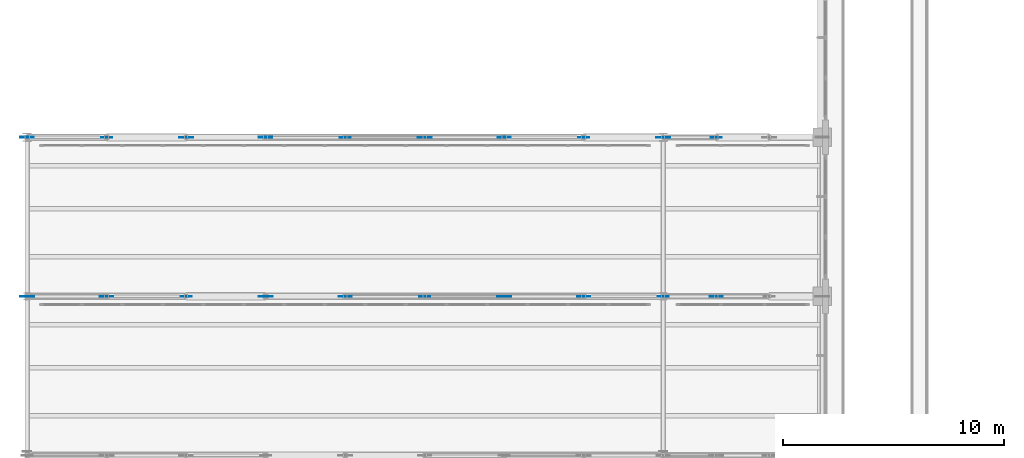
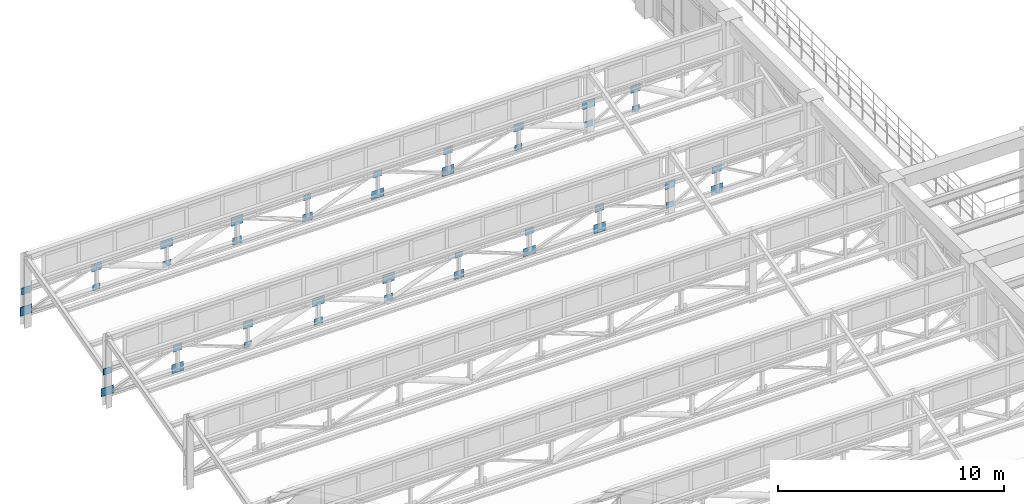
# One storey, part 81 of 98: 40 plates.
"""IFC4 building model written with IfcOpenShell, lengths in metres."""

from ifc_helpers import new_model, si_unit, direction, frame, origin, origin_2d, place, context, subcontext, project, spatial, rectangle, extrude, material, layer, layer_set, type_object, element, save


model = new_model("IFC4")

# Units and contexts
model_context = context("Model", 3, precision=1e-05, world=origin(), true_north=direction((0.0, 1.0)))
body_context = subcontext(model_context, "Body", "Model", "MODEL_VIEW")
ifc_project = project(units=[si_unit("LENGTHUNIT", "METRE"), si_unit("AREAUNIT", "SQUARE_METRE"), si_unit("VOLUMEUNIT", "CUBIC_METRE"), si_unit("PLANEANGLEUNIT", "RADIAN"), si_unit("MASSUNIT", "GRAM", prefix="KILO")], contexts=[model_context])

# Site, building, storey
site_placement = place(None, origin())
site = spatial("IfcSite", under=ifc_project, at=site_placement, CompositionType="ELEMENT")
building_placement = place(site_placement, origin())
building = spatial("IfcBuilding", under=site, at=building_placement, Name="Solenvale Faculty of Natural Sciences", CompositionType="ELEMENT")
storey_placement = place(building_placement, frame((0.0, 0.0, 9.0)))
storey = spatial("IfcBuildingStorey", under=building, at=storey_placement, Name="L02", CompositionType="ELEMENT", Elevation=9.0)

# Plates
ifc_material = material(Name="Steel S355", Category="steel")
ifc_layer_1 = layer(ifc_material, 0.01806640625)
ifc_layer_set_1 = layer_set([ifc_layer_1], Name="Steel S355")
plate_type_1 = type_object("IfcPlateType", Name="PLT-GUS-380x304x18", PredefinedType="SHEET", material=ifc_layer_set_1)
for number, where, z_axis, x_axis, name in (
    (1, (7.199951171875, 36.0, 0.67822265625), (0.0, 0.0, 1.0), (1.0, 0.0, 0.0), "V1 Truss 5.1 Node Gusset NPB2"),
    (2, (18.0, 36.0, 1.7578125), (0.0, 0.0, 1.0), (1.0, 0.0, 0.0), "V1 Truss 5.1 Node Gusset NPU5"),
    (3, (28.800048828125, 36.0, 0.67822265625), (0.0, 0.0, 1.0), (1.0, 0.0, 0.0), "V1 Truss 5.1 Node Gusset NPB8"),
    (4, (3.60009765625, 43.199951171875, 0.67822265625), (0.0, 0.0, 1.0), (1.0, 0.0, 0.0), "V1 Truss 6.1 Node Gusset NPB1"),
    (5, (14.39990234375, 43.199951171875, 1.7578125), (0.0, 0.0, 1.0), (1.0, 0.0, 0.0), "V1 Truss 6.1 Node Gusset NPU4"),
    (6, (25.199951171875, 43.199951171875, 0.67822265625), (0.0, 0.0, 1.0), (1.0, 0.0, 0.0), "V1 Truss 6.1 Node Gusset NPB7"),
    (7, (31.199951171875, 43.199951171875, 0.67822265625), (0.0, 0.0, 1.0), (1.0, 0.0, 0.0), "V1 Truss 6.2 Node Gusset NPB1"),
):
    element("IfcPlate", number, at=place(storey_placement, frame(where, z_axis=z_axis, x_axis=x_axis)), inside=storey, type_object=plate_type_1, Name=name, PredefinedType="SHEET", context=body_context, shape_type="SweptSolid", body=[
        extrude(rectangle(XDim=0.3798828125, YDim=0.01806640625, at=origin_2d()), origin(), (0.0, 0.0, 1.0), 0.303955078125),
    ])
ifc_layer_2 = layer(ifc_material, 0.02001953125)
ifc_layer_set_2 = layer_set([ifc_layer_2], Name="Steel S355")
plate_type_2 = type_object("IfcPlateType", Name="PLT-GUS-420x336x20", PredefinedType="SHEET", material=ifc_layer_set_2)
for number, where, z_axis, x_axis, name in (
    (8, (0.0, 36.0, 1.741943359375), (0.0, 0.0, 1.0), (1.0, 0.0, 0.0), "V1 Truss 5.1 Node Gusset NPU0"),
    (9, (10.800048828125, 36.0, 0.662109375), (0.0, 0.0, 1.0), (1.0, 0.0, 0.0), "V1 Truss 5.1 Node Gusset NPB3"),
    (10, (21.60009765625, 36.0, 1.741943359375), (0.0, 0.0, 1.0), (1.0, 0.0, 0.0), "V1 Truss 5.1 Node Gusset NPU6"),
    (11, (7.199951171875, 43.199951171875, 0.662109375), (0.0, 0.0, 1.0), (1.0, 0.0, 0.0), "V1 Truss 6.1 Node Gusset NPB2"),
    (12, (18.0, 43.199951171875, 1.741943359375), (0.0, 0.0, 1.0), (1.0, 0.0, 0.0), "V1 Truss 6.1 Node Gusset NPU5"),
    (13, (28.800048828125, 43.199951171875, 0.662109375), (0.0, 0.0, 1.0), (1.0, 0.0, 0.0), "V1 Truss 6.1 Node Gusset NPB8"),
):
    element("IfcPlate", number, at=place(storey_placement, frame(where, z_axis=z_axis, x_axis=x_axis)), inside=storey, type_object=plate_type_2, Name=name, PredefinedType="SHEET", context=body_context, shape_type="SweptSolid", body=[
        extrude(rectangle(XDim=0.419921875, YDim=0.02001953125, at=origin_2d()), origin(), (0.0, 0.0, 1.0), 0.3359375),
    ])
ifc_layer_3 = layer(ifc_material, 0.02197265625)
ifc_layer_set_3 = layer_set([ifc_layer_3], Name="Steel S355")
plate_type_3 = type_object("IfcPlateType", Name="PLT-GUS-460x368x22", PredefinedType="SHEET", material=ifc_layer_set_3)
for number, where, z_axis, x_axis, name in (
    (14, (3.60009765625, 36.0, 1.72607421875), (0.0, 0.0, 1.0), (1.0, 0.0, 0.0), "V1 Truss 5.1 Node Gusset NPU1"),
    (15, (14.39990234375, 36.0, 0.64599609375), (0.0, 0.0, 1.0), (1.0, 0.0, 0.0), "V1 Truss 5.1 Node Gusset NPB4"),
    (16, (25.199951171875, 36.0, 1.72607421875), (0.0, 0.0, 1.0), (1.0, 0.0, 0.0), "V1 Truss 5.1 Node Gusset NPU7"),
    (17, (31.199951171875, 36.0, 1.72607421875), (0.0, 0.0, 1.0), (1.0, 0.0, 0.0), "V1 Truss 5.2 Node Gusset NPU1"),
    (18, (0.0, 43.199951171875, 1.72607421875), (0.0, 0.0, 1.0), (1.0, 0.0, 0.0), "V1 Truss 6.1 Node Gusset NPU0"),
    (19, (10.800048828125, 43.199951171875, 0.64599609375), (0.0, 0.0, 1.0), (1.0, 0.0, 0.0), "V1 Truss 6.1 Node Gusset NPB3"),
    (20, (21.60009765625, 43.199951171875, 1.72607421875), (0.0, 0.0, 1.0), (1.0, 0.0, 0.0), "V1 Truss 6.1 Node Gusset NPU6"),
):
    element("IfcPlate", number, at=place(storey_placement, frame(where, z_axis=z_axis, x_axis=x_axis)), inside=storey, type_object=plate_type_3, Name=name, PredefinedType="SHEET", context=body_context, shape_type="SweptSolid", body=[
        extrude(rectangle(XDim=0.4599609375, YDim=0.02197265625, at=origin_2d()), origin(), (0.0, 0.0, 1.0), 0.367919921875),
    ])
ifc_layer_4 = layer(ifc_material, 0.02392578125)
ifc_layer_set_4 = layer_set([ifc_layer_4], Name="Steel S355")
plate_type_4 = type_object("IfcPlateType", Name="PLT-GUS-500x400x24", PredefinedType="SHEET", material=ifc_layer_set_4)
for number, where, z_axis, x_axis, name in (
    (21, (7.199951171875, 36.0, 1.7099609375), (0.0, 0.0, 1.0), (1.0, 0.0, 0.0), "V1 Truss 5.1 Node Gusset NPU2"),
    (22, (18.0, 36.0, 0.630126953125), (0.0, 0.0, 1.0), (1.0, 0.0, 0.0), "V1 Truss 5.1 Node Gusset NPB5"),
    (23, (28.800048828125, 36.0, 1.7099609375), (0.0, 0.0, 1.0), (1.0, 0.0, 0.0), "V1 Truss 5.1 Node Gusset NPU8"),
    (24, (3.60009765625, 43.199951171875, 1.7099609375), (0.0, 0.0, 1.0), (1.0, 0.0, 0.0), "V1 Truss 6.1 Node Gusset NPU1"),
    (25, (14.39990234375, 43.199951171875, 0.630126953125), (0.0, 0.0, 1.0), (1.0, 0.0, 0.0), "V1 Truss 6.1 Node Gusset NPB4"),
    (26, (25.199951171875, 43.199951171875, 1.7099609375), (0.0, 0.0, 1.0), (1.0, 0.0, 0.0), "V1 Truss 6.1 Node Gusset NPU7"),
    (27, (31.199951171875, 43.199951171875, 1.7099609375), (0.0, 0.0, 1.0), (1.0, 0.0, 0.0), "V1 Truss 6.2 Node Gusset NPU1"),
):
    element("IfcPlate", number, at=place(storey_placement, frame(where, z_axis=z_axis, x_axis=x_axis)), inside=storey, type_object=plate_type_4, Name=name, PredefinedType="SHEET", context=body_context, shape_type="SweptSolid", body=[
        extrude(rectangle(XDim=0.5, YDim=0.02392578125, at=origin_2d()), origin(), (0.0, 0.0, 1.0), 0.39990234375),
    ])
ifc_layer_5 = layer(ifc_material, 0.02490234375)
ifc_layer_set_5 = layer_set([ifc_layer_5], Name="Steel S355")
plate_type_5 = type_object("IfcPlateType", Name="PLT-GUS-540x432x25", PredefinedType="SHEET", material=ifc_layer_set_5)
for number, where, z_axis, x_axis, name in (
    (28, (0.0, 36.0, 0.6142578125), (0.0, 0.0, 1.0), (1.0, 0.0, 0.0), "V1 Truss 5.1 Node Gusset NPB0"),
    (29, (10.800048828125, 36.0, 1.69384765625), (0.0, 0.0, 1.0), (1.0, 0.0, 0.0), "V1 Truss 5.1 Node Gusset NPU3"),
    (30, (21.60009765625, 36.0, 0.6142578125), (0.0, 0.0, 1.0), (1.0, 0.0, 0.0), "V1 Truss 5.1 Node Gusset NPB6"),
    (31, (7.199951171875, 43.199951171875, 1.69384765625), (0.0, 0.0, 1.0), (1.0, 0.0, 0.0), "V1 Truss 6.1 Node Gusset NPU2"),
    (32, (18.0, 43.199951171875, 0.6142578125), (0.0, 0.0, 1.0), (1.0, 0.0, 0.0), "V1 Truss 6.1 Node Gusset NPB5"),
    (33, (28.800048828125, 43.199951171875, 1.69384765625), (0.0, 0.0, 1.0), (1.0, 0.0, 0.0), "V1 Truss 6.1 Node Gusset NPU8"),
):
    element("IfcPlate", number, at=place(storey_placement, frame(where, z_axis=z_axis, x_axis=x_axis)), inside=storey, type_object=plate_type_5, Name=name, PredefinedType="SHEET", context=body_context, shape_type="SweptSolid", body=[
        extrude(rectangle(XDim=0.639892578125, YDim=0.02490234375, at=origin_2d()), origin(), (0.0, 0.0, 1.0), 0.431884765625),
    ])
ifc_layer_6 = layer(ifc_material, 0.028076171875)
ifc_layer_set_6 = layer_set([ifc_layer_6], Name="Steel S355")
plate_type_6 = type_object("IfcPlateType", Name="PLT-GUS-600x480x28", PredefinedType="SHEET", material=ifc_layer_set_6)
for number, where, z_axis, x_axis, name in (
    (34, (3.60009765625, 36.0, 0.590087890625), (0.0, 0.0, 1.0), (1.0, 0.0, 0.0), "V1 Truss 5.1 Node Gusset NPB1"),
    (35, (14.39990234375, 36.0, 1.669921875), (0.0, 0.0, 1.0), (1.0, 0.0, 0.0), "V1 Truss 5.1 Node Gusset NPU4"),
    (36, (25.199951171875, 36.0, 0.590087890625), (0.0, 0.0, 1.0), (1.0, 0.0, 0.0), "V1 Truss 5.1 Node Gusset NPB7"),
    (37, (31.199951171875, 36.0, 0.590087890625), (0.0, 0.0, 1.0), (1.0, 0.0, 0.0), "V1 Truss 5.2 Node Gusset NPB1"),
    (38, (0.0, 43.199951171875, 0.590087890625), (0.0, 0.0, 1.0), (1.0, 0.0, 0.0), "V1 Truss 6.1 Node Gusset NPB0"),
    (39, (10.800048828125, 43.199951171875, 1.669921875), (0.0, 0.0, 1.0), (1.0, 0.0, 0.0), "V1 Truss 6.1 Node Gusset NPU3"),
    (40, (21.60009765625, 43.199951171875, 0.590087890625), (0.0, 0.0, 1.0), (1.0, 0.0, 0.0), "V1 Truss 6.1 Node Gusset NPB6"),
):
    element("IfcPlate", number, at=place(storey_placement, frame(where, z_axis=z_axis, x_axis=x_axis)), inside=storey, type_object=plate_type_6, Name=name, PredefinedType="SHEET", context=body_context, shape_type="SweptSolid", body=[
        extrude(rectangle(XDim=0.60009765625, YDim=0.028076171875, at=origin_2d()), origin(), (0.0, 0.0, 1.0), 0.47998046875),
    ])

save(model, "model.ifc")
